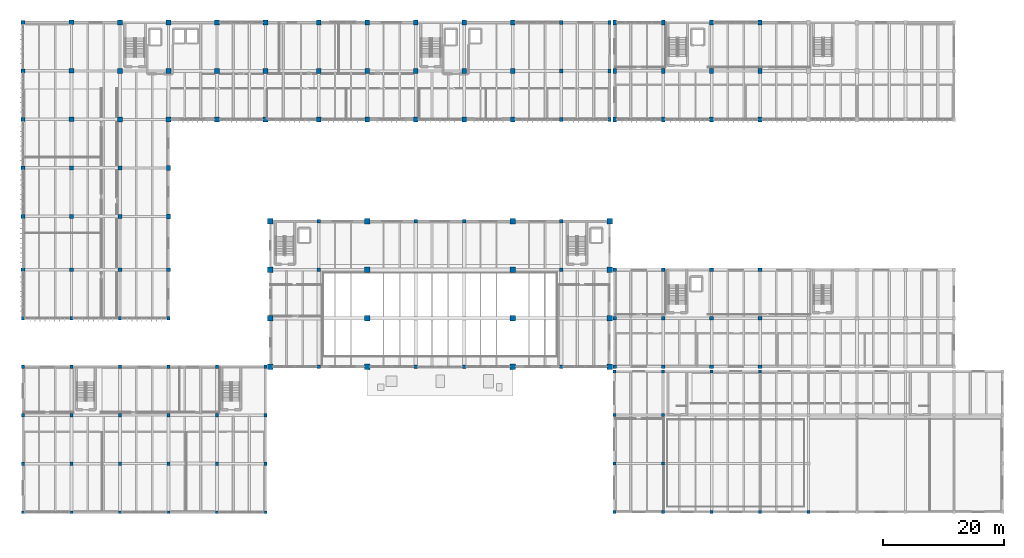
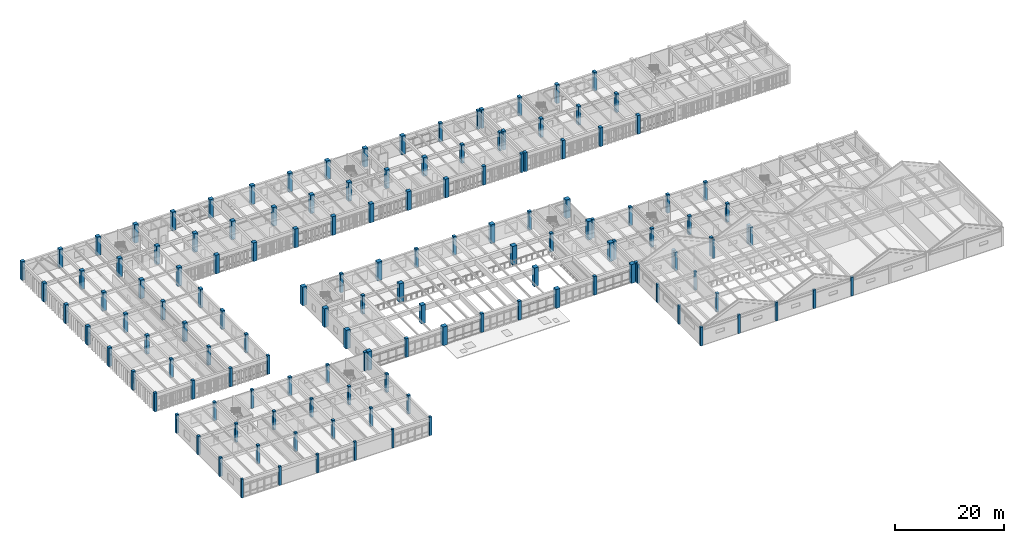
# One storey, part 1 of 67: 142 columns.
"""IFC4 building model written with IfcOpenShell, lengths in metres."""

import ifcopenshell
import ifcopenshell.guid

model = None  # the IFC model being written
_history = None  # IfcOwnerHistory: only IFC2X3 demands one
_inside = {}  # id of a spatial element -> (the spatial element, [elements in it])
_under = {}  # id of a project, library or spatial element -> (it, [spatial elements below it])
_declared = {}  # id of a project -> (the project, [libraries it declares])
_typed = {}  # id of a type object -> (the type object, [elements of that type])
_made_of = {}  # id of a material, layer set ... -> (it, [elements and type objects made of it])


def new_model(schema):
    """Start an empty IFC model of exactly this schema.

    Asked for "IFC4X3", IfcOpenShell would pick the latest addendum, in which some entities
    have other attributes; the version numbers below select the first issue.
    IFC2X3 requires an IfcOwnerHistory on every rooted entity: one is made here for all.
    """
    global model, _history
    if schema == "IFC4X3":
        model = ifcopenshell.file(schema_version=(4, 3, 0, 0))
    else:
        model = ifcopenshell.file(schema=schema)
    _inside.clear()
    _under.clear()
    _declared.clear()
    _typed.clear()
    _made_of.clear()
    _history = None
    if model.schema == "IFC2X3":
        org = make("IfcOrganization", Name="unknown")
        user = make(
            "IfcPersonAndOrganization",
            ThePerson=make("IfcPerson", FamilyName="unknown"),
            TheOrganization=org,
        )
        app = make(
            "IfcApplication",
            ApplicationDeveloper=org,
            Version="unknown",
            ApplicationFullName="unknown",
            ApplicationIdentifier="unknown",
        )
        _history = make(
            "IfcOwnerHistory",
            OwningUser=user,
            OwningApplication=app,
            ChangeAction="ADDED",
            CreationDate=0,
        )
    return model


def make(cls, **values):
    """One entity of the class cls with the attributes given. An attribute that is None is left unset."""
    return model.create_entity(
        cls, **{name: value for name, value in values.items() if value is not None}
    )


def rooted(cls, **values):
    """An entity with a GlobalId (a new one), such as an element, a storey or a relation."""
    return make(cls, GlobalId=ifcopenshell.guid.new(), OwnerHistory=_history, **values)


def si_unit(unit_type, name, prefix=None):
    """IfcSIUnit, for example si_unit("LENGTHUNIT", "METRE", prefix="MILLI")."""
    return make("IfcSIUnit", UnitType=unit_type, Prefix=prefix, Name=name)


def assignment(units):
    """IfcUnitAssignment: the units of a project."""
    return None if units is None else make("IfcUnitAssignment", Units=units)


def point(xyz):
    """IfcCartesianPoint."""
    return None if xyz is None else make("IfcCartesianPoint", Coordinates=xyz)


def direction(xyz):
    """IfcDirection."""
    return None if xyz is None else make("IfcDirection", DirectionRatios=xyz)


def frame(location, z_axis=None, x_axis=None):
    """IfcAxis2Placement3D, a coordinate frame: its origin and axes. An axis left out is left unset."""
    return make(
        "IfcAxis2Placement3D",
        Location=point(location),
        Axis=direction(z_axis),
        RefDirection=direction(x_axis),
    )


def frame_2d(location, x_axis=None):
    """IfcAxis2Placement2D, a coordinate frame in the plane: its origin and x axis."""
    return make(
        "IfcAxis2Placement2D", Location=point(location), RefDirection=direction(x_axis)
    )


def origin():
    """The frame at (0, 0, 0) with its axes left unset."""
    return frame((0.0, 0.0, 0.0))


def origin_2d():
    """The frame at (0, 0) in the plane with its x axis left unset."""
    return frame_2d((0.0, 0.0))


def place(relative_to, where):
    """IfcLocalPlacement: puts the frame where relative to a parent placement (None: the world)."""
    return make(
        "IfcLocalPlacement", PlacementRelTo=relative_to, RelativePlacement=where
    )


def context(
    kind, dimensions, precision=None, world=None, true_north=None, identifier=None
):
    """IfcGeometricRepresentationContext, for example the 3D "Model" context."""
    return make(
        "IfcGeometricRepresentationContext",
        ContextIdentifier=identifier,
        ContextType=kind,
        CoordinateSpaceDimension=dimensions,
        Precision=precision,
        WorldCoordinateSystem=world,
        TrueNorth=true_north,
    )


def subcontext(parent, identifier, kind, view, scale=None):
    """IfcGeometricRepresentationSubContext, for example "Body" below "Model"."""
    return make(
        "IfcGeometricRepresentationSubContext",
        ContextIdentifier=identifier,
        ContextType=kind,
        ParentContext=parent,
        TargetScale=scale,
        TargetView=view,
    )


def project(units=None, contexts=None):
    """IfcProject with its units and contexts."""
    return rooted(
        "IfcProject",
        Name="project",
        RepresentationContexts=contexts,
        UnitsInContext=assignment(units),
    )


def spatial(cls, under=None, at=None, **own):
    """A site, building, storey or space (cls), placed at a placement, below another one or the project."""
    s = rooted(cls, ObjectPlacement=at, **own)
    if under is not None:
        _under.setdefault(under.id(), (under, []))[1].append(s)
    return s


def profile(cls, at=None, kind="AREA", **sizes):
    """A parametric profile (cls). Its sizes go by their IFC names, for example OverallWidth=200.0."""
    return make(cls, ProfileType=kind, Position=at, **sizes)


def rectangle(**sizes):
    """IfcRectangleProfileDef."""
    return profile("IfcRectangleProfileDef", **sizes)


def extrude(swept, where, along, depth):
    """IfcExtrudedAreaSolid: the profile swept, set in the frame where, extruded along a direction by depth."""
    return make(
        "IfcExtrudedAreaSolid",
        SweptArea=swept,
        Position=where,
        ExtrudedDirection=direction(along),
        Depth=depth,
    )


def shape(context_of_items, identifier, shape_type, items):
    """IfcShapeRepresentation: the items that make up one representation, for example the "Body"."""
    return make(
        "IfcShapeRepresentation",
        ContextOfItems=context_of_items,
        RepresentationIdentifier=identifier,
        RepresentationType=shape_type,
        Items=items,
    )


def material(Name=None, Category=None):
    """IfcMaterial."""
    return make("IfcMaterial", Name=Name, Category=Category)


def material_profile(
    of_material, cross_section, Name=None, Category=None, Priority=None
):
    """IfcMaterialProfile: a cross section and its material."""
    return make(
        "IfcMaterialProfile",
        Name=Name,
        Material=of_material,
        Profile=cross_section,
        Priority=Priority,
        Category=Category,
    )


def profile_set(profiles, Name=None, composite=None):
    """IfcMaterialProfileSet."""
    return make(
        "IfcMaterialProfileSet",
        Name=Name,
        MaterialProfiles=profiles,
        CompositeProfile=composite,
    )


def made_of(thing, what):
    """Note that an element or type object is made of a material, layer set ...; save() writes the relation."""
    if what is not None:
        _made_of.setdefault(what.id(), (what, []))[1].append(thing)
    return thing


def type_object(cls, material=None, **own):
    """A type object (cls), such as IfcWallType, which elements share."""
    return made_of(rooted(cls, **own), material)


def element(
    cls,
    number,
    at=None,
    inside=None,
    cuts=None,
    type_object=None,
    material=None,
    context=None,
    identifier="Body",
    shape_type=None,
    held_by="IfcProductDefinitionShape",
    body=None,
    shapes=None,
    **own,
):
    """One element of the class cls, such as IfcWall. Its Tag is "e" and its number.

    at: its placement. inside: the storey or other place that contains it. cuts: it is an
    opening in that element (IfcRelVoidsElement). A single representation is given by context,
    identifier, shape_type and body (its items); several are given by shapes. held_by: the class
    of the entity that holds the representations. save() writes the other relations.
    """
    e = rooted(cls, Tag="e%d" % number, ObjectPlacement=at, **own)
    if body is not None:
        shapes = [shape(context, identifier, shape_type, body)]
    if shapes is not None:
        e.Representation = make(held_by, Representations=shapes)
    if inside is not None:
        _inside.setdefault(inside.id(), (inside, []))[1].append(e)
    if cuts is not None:
        rooted(
            "IfcRelVoidsElement", RelatingBuildingElement=cuts, RelatedOpeningElement=e
        )
    if type_object is not None:
        _typed.setdefault(type_object.id(), (type_object, []))[1].append(e)
    return made_of(e, material)


def aggregate(whole, parts):
    """IfcRelAggregates: a whole, such as a stair, and the parts it consists of."""
    return rooted("IfcRelAggregates", RelatingObject=whole, RelatedObjects=parts)


def save(model, path):
    """Write the relations noted so far, then the file.

    IfcRelAggregates (storeys below a building ...), IfcRelContainedInSpatialStructure (elements
    in a storey), IfcRelDefinesByType, IfcRelAssociatesMaterial and IfcRelDeclares: one each for
    every whole, place, type object, material and project.
    """
    for whole, parts in _under.values():
        aggregate(whole, parts)
    for where, things in _inside.values():
        rooted(
            "IfcRelContainedInSpatialStructure",
            RelatedElements=things,
            RelatingStructure=where,
        )
    for kind, things in _typed.values():
        rooted("IfcRelDefinesByType", RelatedObjects=things, RelatingType=kind)
    for what, things in _made_of.values():
        rooted("IfcRelAssociatesMaterial", RelatedObjects=things, RelatingMaterial=what)
    for by, libraries in _declared.values():
        rooted("IfcRelDeclares", RelatingContext=by, RelatedDefinitions=libraries)
    model.write(path)


model = new_model("IFC4")

# Units and contexts
model_context = context("Model", 3, precision=1e-05, world=origin(), true_north=direction((0.0, 1.0)))
body_context = subcontext(model_context, "Body", "Model", "MODEL_VIEW")
ifc_project = project(units=[si_unit("LENGTHUNIT", "METRE"), si_unit("AREAUNIT", "SQUARE_METRE"), si_unit("VOLUMEUNIT", "CUBIC_METRE"), si_unit("PLANEANGLEUNIT", "RADIAN"), si_unit("MASSUNIT", "GRAM", prefix="KILO")], contexts=[model_context])

# Site, building, storey
site_placement = place(None, origin())
site = spatial("IfcSite", under=ifc_project, at=site_placement, CompositionType="ELEMENT")
building_placement = place(site_placement, origin())
building = spatial("IfcBuilding", under=site, at=building_placement, Name="Tlaxcora Railside Police Headquarters", CompositionType="ELEMENT")
storey_placement = place(building_placement, frame((0.0, 0.0, 4.800048828125)))
storey = spatial("IfcBuildingStorey", under=building, at=storey_placement, Name="L01", CompositionType="ELEMENT", Elevation=4.800048828125)

# Columns
ifc_material = material(Name="Concrete C40/50", Category="concrete")
ifc_material_profile_1 = material_profile(ifc_material, rectangle(XDim=0.800048828125, YDim=0.800048828125, at=origin_2d()), Name="RC800X800")
ifc_profile_set_1 = profile_set([ifc_material_profile_1], Name="Concrete C40/50")
column_type_1 = type_object("IfcColumnType", Name="Structural Column CL-17", PredefinedType="COLUMN", material=ifc_profile_set_1)
for number, where, z_axis, x_axis, name in (
    (1, (21.199951171875, 76.800048828125, 0.0), (0.0, 0.0, 1.0), (1.0, 0.0, 0.0), "L01 column (21.2, 76.8)"),
    (2, (21.199951171875, 84.800048828125, 0.0), (0.0, 0.0, 1.0), (1.0, 0.0, 0.0), "L01 column (21.2, 84.8)"),
    (3, (21.199951171875, 92.800048828125, 0.0), (0.0, 0.0, 1.0), (1.0, 0.0, 0.0), "L01 column (21.2, 92.8)"),
    (4, (29.199951171875, 76.800048828125, 0.0), (0.0, 0.0, 1.0), (1.0, 0.0, 0.0), "L01 column (29.2, 76.8)"),
    (5, (29.199951171875, 84.800048828125, 0.0), (0.0, 0.0, 1.0), (1.0, 0.0, 0.0), "L01 column (29.2, 84.8)"),
    (6, (29.199951171875, 92.800048828125, 0.0), (0.0, 0.0, 1.0), (1.0, 0.0, 0.0), "L01 column (29.2, 92.8)"),
    (7, (37.199951171875, 76.800048828125, 0.0), (0.0, 0.0, 1.0), (1.0, 0.0, 0.0), "L01 column (37.2, 76.8)"),
    (8, (37.199951171875, 84.800048828125, 0.0), (0.0, 0.0, 1.0), (1.0, 0.0, 0.0), "L01 column (37.2, 84.8)"),
    (9, (37.199951171875, 92.800048828125, 0.0), (0.0, 0.0, 1.0), (1.0, 0.0, 0.0), "L01 column (37.2, 92.8)"),
    (10, (45.199951171875, 76.800048828125, 0.0), (0.0, 0.0, 1.0), (1.0, 0.0, 0.0), "L01 column (45.2, 76.8)"),
    (11, (45.199951171875, 84.800048828125, 0.0), (0.0, 0.0, 1.0), (1.0, 0.0, 0.0), "L01 column (45.2, 84.8)"),
    (12, (45.199951171875, 92.800048828125, 0.0), (0.0, 0.0, 1.0), (1.0, 0.0, 0.0), "L01 column (45.2, 92.8)"),
    (13, (54.0, 76.800048828125, 0.0), (0.0, 0.0, 1.0), (1.0, 0.0, 0.0), "L01 column (54.0, 76.8)"),
    (14, (54.0, 84.800048828125, 0.0), (0.0, 0.0, 1.0), (1.0, 0.0, 0.0), "L01 column (54.0, 84.8)"),
    (15, (54.0, 92.800048828125, 0.0), (0.0, 0.0, 1.0), (1.0, 0.0, 0.0), "L01 column (54.0, 92.8)"),
    (16, (62.0, 76.800048828125, 0.0), (0.0, 0.0, 1.0), (1.0, 0.0, 0.0), "L01 column (62.0, 76.8)"),
    (17, (62.0, 84.800048828125, 0.0), (0.0, 0.0, 1.0), (1.0, 0.0, 0.0), "L01 column (62.0, 84.8)"),
    (18, (62.0, 92.800048828125, 0.0), (0.0, 0.0, 1.0), (1.0, 0.0, 0.0), "L01 column (62.0, 92.8)"),
    (19, (70.0, 76.800048828125, 0.0), (0.0, 0.0, 1.0), (1.0, 0.0, 0.0), "L01 column (70.0, 76.8)"),
    (20, (70.0, 84.800048828125, 0.0), (0.0, 0.0, 1.0), (1.0, 0.0, 0.0), "L01 column (70.0, 84.8)"),
    (21, (70.0, 92.800048828125, 0.0), (0.0, 0.0, 1.0), (1.0, 0.0, 0.0), "L01 column (70.0, 92.8)"),
    (22, (78.0, 76.800048828125, 0.0), (0.0, 0.0, 1.0), (1.0, 0.0, 0.0), "L01 column (78.0, 76.8)"),
    (23, (78.0, 84.800048828125, 0.0), (0.0, 0.0, 1.0), (1.0, 0.0, 0.0), "L01 column (78.0, 84.8)"),
    (24, (78.0, 92.800048828125, 0.0), (0.0, 0.0, 1.0), (1.0, 0.0, 0.0), "L01 column (78.0, 92.8)"),
    (25, (86.0, 76.800048828125, 0.0), (0.0, 0.0, 1.0), (1.0, 0.0, 0.0), "L01 column (86.0, 76.8)"),
    (26, (86.0, 84.800048828125, 0.0), (0.0, 0.0, 1.0), (1.0, 0.0, 0.0), "L01 column (86.0, 84.8)"),
    (27, (86.0, 92.800048828125, 0.0), (0.0, 0.0, 1.0), (1.0, 0.0, 0.0), "L01 column (86.0, 92.8)"),
):
    element("IfcColumn", number, at=place(storey_placement, frame(where, z_axis=z_axis, x_axis=x_axis)), inside=storey, type_object=column_type_1, Name=name, PredefinedType="COLUMN", context=body_context, shape_type="SweptSolid", body=[
        extrude(rectangle(XDim=0.800048828125, YDim=0.800048828125, at=origin_2d()), origin(), (0.0, 0.0, 1.0), 4.199951171875),
    ])
ifc_material_profile_2 = material_profile(ifc_material, rectangle(XDim=0.75, YDim=0.75, at=origin_2d()), Name="RC750X750")
ifc_profile_set_2 = profile_set([ifc_material_profile_2], Name="Concrete C40/50")
column_type_2 = type_object("IfcColumnType", Name="Structural Column CL-18", PredefinedType="COLUMN", material=ifc_profile_set_2)
for number, where, z_axis, x_axis, name in (
    (28, (13.199951171875, 76.800048828125, 0.0), (0.0, 0.0, 1.0), (1.0, 0.0, 0.0), "L01 column (13.2, 76.8)"),
    (29, (13.199951171875, 84.800048828125, 0.0), (0.0, 0.0, 1.0), (1.0, 0.0, 0.0), "L01 column (13.2, 84.8)"),
    (30, (13.199951171875, 92.800048828125, 0.0), (0.0, 0.0, 1.0), (1.0, 0.0, 0.0), "L01 column (13.2, 92.8)"),
):
    element("IfcColumn", number, at=place(storey_placement, frame(where, z_axis=z_axis, x_axis=x_axis)), inside=storey, type_object=column_type_2, Name=name, PredefinedType="COLUMN", context=body_context, shape_type="SweptSolid", body=[
        extrude(rectangle(XDim=0.75, YDim=0.75, at=origin_2d()), origin(), (0.0, 0.0, 1.0), 4.199951171875),
    ])
ifc_material_profile_3 = material_profile(ifc_material, rectangle(XDim=0.5, YDim=0.64990234375, at=origin_2d()), Name="RC500X650")
ifc_profile_set_3 = profile_set([ifc_material_profile_3], Name="Concrete C40/50")
column_type_3 = type_object("IfcColumnType", Name="Structural Column CL-28", PredefinedType="COLUMN", material=ifc_profile_set_3)
for number, where, z_axis, x_axis, name in (
    (31, (102.0, 76.800048828125, 0.0), (0.0, 0.0, 1.0), (1.0, 0.0, 0.0), "L01 column (102.0, 76.8)"),
    (32, (102.0, 84.800048828125, 0.0), (0.0, 0.0, 1.0), (1.0, 0.0, 0.0), "L01 column (102.0, 84.8)"),
    (33, (102.0, 92.800048828125, 0.0), (0.0, 0.0, 1.0), (1.0, 0.0, 0.0), "L01 column (102.0, 92.8)"),
):
    element("IfcColumn", number, at=place(storey_placement, frame(where, z_axis=z_axis, x_axis=x_axis)), inside=storey, type_object=column_type_3, Name=name, PredefinedType="COLUMN", context=body_context, shape_type="SweptSolid", body=[
        extrude(rectangle(XDim=0.5, YDim=0.64990234375, at=origin_2d()), origin(), (0.0, 0.0, 1.0), 4.199951171875),
    ])
ifc_material_profile_4 = material_profile(ifc_material, rectangle(XDim=0.699951171875, YDim=0.699951171875, at=origin_2d()), Name="RC700X700")
ifc_profile_set_4 = profile_set([ifc_material_profile_4], Name="Concrete C40/50")
column_type_4 = type_object("IfcColumnType", Name="Structural Column CL-43", PredefinedType="COLUMN", material=ifc_profile_set_4)
for number, where, z_axis, x_axis, name in (
    (34, (5.199951171875, 60.800048828125, 0.0), (0.0, 0.0, 1.0), (1.0, 0.0, 0.0), "L01 column (5.2, 60.8)"),
    (35, (5.199951171875, 68.800048828125, 0.0), (0.0, 0.0, 1.0), (1.0, 0.0, 0.0), "L01 column (5.2, 68.8)"),
    (36, (5.199951171875, 76.800048828125, 0.0), (0.0, 0.0, 1.0), (1.0, 0.0, 0.0), "L01 column (5.2, 76.8)"),
    (37, (5.199951171875, 84.800048828125, 0.0), (0.0, 0.0, 1.0), (1.0, 0.0, 0.0), "L01 column (5.2, 84.8)"),
    (38, (5.199951171875, 92.800048828125, 0.0), (0.0, 0.0, 1.0), (1.0, 0.0, 0.0), "L01 column (5.2, 92.8)"),
    (39, (13.199951171875, 60.800048828125, 0.0), (0.0, 0.0, 1.0), (1.0, 0.0, 0.0), "L01 column (13.2, 60.8)"),
    (40, (13.199951171875, 68.800048828125, 0.0), (0.0, 0.0, 1.0), (1.0, 0.0, 0.0), "L01 column (13.2, 68.8)"),
    (41, (21.199951171875, 60.800048828125, 0.0), (0.0, 0.0, 1.0), (1.0, 0.0, 0.0), "L01 column (21.2, 60.8)"),
    (42, (21.199951171875, 68.800048828125, 0.0), (0.0, 0.0, 1.0), (1.0, 0.0, 0.0), "L01 column (21.2, 68.8)"),
):
    element("IfcColumn", number, at=place(storey_placement, frame(where, z_axis=z_axis, x_axis=x_axis)), inside=storey, type_object=column_type_4, Name=name, PredefinedType="COLUMN", context=body_context, shape_type="SweptSolid", body=[
        extrude(rectangle(XDim=0.699951171875, YDim=0.699951171875, at=origin_2d()), origin(), (0.0, 0.0, 1.0), 4.199951171875),
    ])
ifc_material_profile_5 = material_profile(ifc_material, rectangle(XDim=0.89990234375, YDim=0.89990234375, at=origin_2d()), Name="RC900X900")
ifc_profile_set_5 = profile_set([ifc_material_profile_5], Name="Concrete C40/50")
column_type_5 = type_object("IfcColumnType", Name="Structural Column CL-45", PredefinedType="COLUMN", material=ifc_profile_set_5)
for number, where, z_axis, x_axis, name in (
    (43, (46.0, 36.0, 0.0), (0.0, 0.0, 1.0), (1.0, 0.0, 0.0), "L01 column (46.0, 36.0)"),
    (44, (46.0, 44.0, 0.0), (0.0, 0.0, 1.0), (1.0, 0.0, 0.0), "L01 column (46.0, 44.0)"),
    (45, (46.0, 52.0, 0.0), (0.0, 0.0, 1.0), (1.0, 0.0, 0.0), "L01 column (46.0, 52.0)"),
    (46, (46.0, 60.0, 0.0), (0.0, 0.0, 1.0), (1.0, 0.0, 0.0), "L01 column (46.0, 60.0)"),
    (47, (62.0, 36.0, 0.0), (0.0, 0.0, 1.0), (1.0, 0.0, 0.0), "L01 column (62.0, 36.0)"),
    (48, (62.0, 44.0, 0.0), (0.0, 0.0, 1.0), (1.0, 0.0, 0.0), "L01 column (62.0, 44.0)"),
    (49, (62.0, 52.0, 0.0), (0.0, 0.0, 1.0), (1.0, 0.0, 0.0), "L01 column (62.0, 52.0)"),
    (50, (62.0, 60.0, 0.0), (0.0, 0.0, 1.0), (1.0, 0.0, 0.0), "L01 column (62.0, 60.0)"),
    (51, (86.0, 36.0, 0.0), (0.0, 0.0, 1.0), (1.0, 0.0, 0.0), "L01 column (86.0, 36.0)"),
    (52, (86.0, 44.0, 0.0), (0.0, 0.0, 1.0), (1.0, 0.0, 0.0), "L01 column (86.0, 44.0)"),
    (53, (86.0, 52.0, 0.0), (0.0, 0.0, 1.0), (1.0, 0.0, 0.0), "L01 column (86.0, 52.0)"),
    (54, (86.0, 60.0, 0.0), (0.0, 0.0, 1.0), (1.0, 0.0, 0.0), "L01 column (86.0, 60.0)"),
    (55, (102.0, 36.0, 0.0), (0.0, 0.0, 1.0), (1.0, 0.0, 0.0), "L01 column (102.0, 36.0)"),
    (56, (102.0, 44.0, 0.0), (0.0, 0.0, 1.0), (1.0, 0.0, 0.0), "L01 column (102.0, 44.0)"),
    (57, (102.0, 52.0, 0.0), (0.0, 0.0, 1.0), (1.0, 0.0, 0.0), "L01 column (102.0, 52.0)"),
    (58, (102.0, 60.0, 0.0), (0.0, 0.0, 1.0), (1.0, 0.0, 0.0), "L01 column (102.0, 60.0)"),
):
    element("IfcColumn", number, at=place(storey_placement, frame(where, z_axis=z_axis, x_axis=x_axis)), inside=storey, type_object=column_type_5, Name=name, PredefinedType="COLUMN", context=body_context, shape_type="SweptSolid", body=[
        extrude(rectangle(XDim=0.89990234375, YDim=0.89990234375, at=origin_2d()), origin(), (0.0, 0.0, 1.0), 4.199951171875),
    ])
ifc_material_profile_6 = material_profile(ifc_material, rectangle(XDim=0.60009765625, YDim=0.60009765625, at=origin_2d()), Name="RC600X600")
ifc_profile_set_6 = profile_set([ifc_material_profile_6], Name="Concrete C40/50")
column_type_6 = type_object("IfcColumnType", Name="Structural Column CL-53", PredefinedType="COLUMN", material=ifc_profile_set_6)
for number, where, z_axis, x_axis, name in (
    (59, (5.199951171875, 52.0, 0.0), (0.0, 0.0, 1.0), (1.0, 0.0, 0.0), "L01 column (5.2, 52.0)"),
    (60, (13.199951171875, 52.0, 0.0), (0.0, 0.0, 1.0), (1.0, 0.0, 0.0), "L01 column (13.2, 52.0)"),
    (61, (21.199951171875, 52.0, 0.0), (0.0, 0.0, 1.0), (1.0, 0.0, 0.0), "L01 column (21.2, 52.0)"),
    (62, (29.199951171875, 52.0, 0.0), (0.0, 0.0, 1.0), (1.0, 0.0, 0.0), "L01 column (29.2, 52.0)"),
    (63, (54.0, 36.0, 0.0), (0.0, 0.0, 1.0), (1.0, 0.0, 0.0), "L01 column (54.0, 36.0)"),
    (64, (54.0, 52.0, 0.0), (0.0, 0.0, 1.0), (1.0, 0.0, 0.0), "L01 column (54.0, 52.0)"),
    (65, (54.0, 60.0, 0.0), (0.0, 0.0, 1.0), (1.0, 0.0, 0.0), "L01 column (54.0, 60.0)"),
    (66, (70.0, 36.0, 0.0), (0.0, 0.0, 1.0), (1.0, 0.0, 0.0), "L01 column (70.0, 36.0)"),
    (67, (70.0, 60.0, 0.0), (0.0, 0.0, 1.0), (1.0, 0.0, 0.0), "L01 column (70.0, 60.0)"),
    (68, (78.0, 36.0, 0.0), (0.0, 0.0, 1.0), (1.0, 0.0, 0.0), "L01 column (78.0, 36.0)"),
    (69, (78.0, 60.0, 0.0), (0.0, 0.0, 1.0), (1.0, 0.0, 0.0), "L01 column (78.0, 60.0)"),
    (70, (94.0, 36.0, 0.0), (0.0, 0.0, 1.0), (1.0, 0.0, 0.0), "L01 column (94.0, 36.0)"),
    (71, (94.0, 52.0, 0.0), (0.0, 0.0, 1.0), (1.0, 0.0, 0.0), "L01 column (94.0, 52.0)"),
    (72, (94.0, 60.0, 0.0), (0.0, 0.0, 1.0), (1.0, 0.0, 0.0), "L01 column (94.0, 60.0)"),
    (73, (102.800048828125, 36.0, 0.0), (0.0, 0.0, 1.0), (1.0, 0.0, 0.0), "L01 column (102.8, 36.0)"),
    (74, (102.800048828125, 44.0, 0.0), (0.0, 0.0, 1.0), (1.0, 0.0, 0.0), "L01 column (102.8, 44.0)"),
    (75, (102.800048828125, 52.0, 0.0), (0.0, 0.0, 1.0), (1.0, 0.0, 0.0), "L01 column (102.8, 52.0)"),
    (76, (110.800048828125, 36.0, 0.0), (0.0, 0.0, 1.0), (1.0, 0.0, 0.0), "L01 column (110.8, 36.0)"),
    (77, (110.800048828125, 44.0, 0.0), (0.0, 0.0, 1.0), (1.0, 0.0, 0.0), "L01 column (110.8, 44.0)"),
    (78, (110.800048828125, 52.0, 0.0), (0.0, 0.0, 1.0), (1.0, 0.0, 0.0), "L01 column (110.8, 52.0)"),
    (79, (118.800048828125, 36.0, 0.0), (0.0, 0.0, 1.0), (1.0, 0.0, 0.0), "L01 column (118.8, 36.0)"),
    (80, (118.800048828125, 44.0, 0.0), (0.0, 0.0, 1.0), (1.0, 0.0, 0.0), "L01 column (118.8, 44.0)"),
    (81, (118.800048828125, 52.0, 0.0), (0.0, 0.0, 1.0), (1.0, 0.0, 0.0), "L01 column (118.8, 52.0)"),
    (82, (126.800048828125, 36.0, 0.0), (0.0, 0.0, 1.0), (1.0, 0.0, 0.0), "L01 column (126.8, 36.0)"),
    (83, (126.800048828125, 44.0, 0.0), (0.0, 0.0, 1.0), (1.0, 0.0, 0.0), "L01 column (126.8, 44.0)"),
    (84, (126.800048828125, 52.0, 0.0), (0.0, 0.0, 1.0), (1.0, 0.0, 0.0), "L01 column (126.8, 52.0)"),
):
    element("IfcColumn", number, at=place(storey_placement, frame(where, z_axis=z_axis, x_axis=x_axis)), inside=storey, type_object=column_type_6, Name=name, PredefinedType="COLUMN", context=body_context, shape_type="SweptSolid", body=[
        extrude(rectangle(XDim=0.60009765625, YDim=0.60009765625, at=origin_2d()), origin(), (0.0, 0.0, 1.0), 4.199951171875),
    ])
ifc_material_profile_7 = material_profile(ifc_material, rectangle(XDim=0.5, YDim=0.5, at=origin_2d()), Name="RC500X500")
ifc_profile_set_7 = profile_set([ifc_material_profile_7], Name="Concrete C40/50")
column_type_7 = type_object("IfcColumnType", Name="Structural Column CL-55", PredefinedType="COLUMN", material=ifc_profile_set_7)
for number, where, z_axis, x_axis, name in (
    (85, (102.800048828125, 12.0, 0.0), (0.0, 0.0, 1.0), (1.0, 0.0, 0.0), "L01 column (102.8, 12.0)"),
    (86, (102.800048828125, 20.0, 0.0), (0.0, 0.0, 1.0), (1.0, 0.0, 0.0), "L01 column (102.8, 20.0)"),
    (87, (102.800048828125, 28.0, 0.0), (0.0, 0.0, 1.0), (1.0, 0.0, 0.0), "L01 column (102.8, 28.0)"),
    (88, (102.800048828125, 35.199951171875, 0.0), (0.0, 0.0, 1.0), (1.0, 0.0, 0.0), "L01 column (102.8, 35.2)"),
    (89, (110.800048828125, 12.0, 0.0), (0.0, 0.0, 1.0), (1.0, 0.0, 0.0), "L01 column (110.8, 12.0)"),
    (90, (110.800048828125, 20.0, 0.0), (0.0, 0.0, 1.0), (1.0, 0.0, 0.0), "L01 column (110.8, 20.0)"),
    (91, (110.800048828125, 28.0, 0.0), (0.0, 0.0, 1.0), (1.0, 0.0, 0.0), "L01 column (110.8, 28.0)"),
    (92, (110.800048828125, 35.199951171875, 0.0), (0.0, 0.0, 1.0), (1.0, 0.0, 0.0), "L01 column (110.8, 35.2)"),
    (93, (118.800048828125, 12.0, 0.0), (0.0, 0.0, 1.0), (1.0, 0.0, 0.0), "L01 column (118.8, 12.0)"),
    (94, (118.800048828125, 35.199951171875, 0.0), (0.0, 0.0, 1.0), (1.0, 0.0, 0.0), "L01 column (118.8, 35.2)"),
    (95, (126.800048828125, 12.0, 0.0), (0.0, 0.0, 1.0), (1.0, 0.0, 0.0), "L01 column (126.8, 12.0)"),
    (96, (126.800048828125, 35.199951171875, 0.0), (0.0, 0.0, 1.0), (1.0, 0.0, 0.0), "L01 column (126.8, 35.2)"),
    (97, (134.800048828125, 12.0, 0.0), (0.0, 0.0, 1.0), (1.0, 0.0, 0.0), "L01 column (134.8, 12.0)"),
):
    element("IfcColumn", number, at=place(storey_placement, frame(where, z_axis=z_axis, x_axis=x_axis)), inside=storey, type_object=column_type_7, Name=name, PredefinedType="COLUMN", context=body_context, shape_type="SweptSolid", body=[
        extrude(rectangle(XDim=0.5, YDim=0.5, at=origin_2d()), origin(), (0.0, 0.0, 1.0), 4.199951171875),
    ])
ifc_material_profile_8 = material_profile(ifc_material, rectangle(XDim=0.449951171875, YDim=0.449951171875, at=origin_2d()), Name="RC450X450")
ifc_profile_set_8 = profile_set([ifc_material_profile_8], Name="Concrete C40/50")
column_type_8 = type_object("IfcColumnType", Name="Structural Column CL-56", PredefinedType="COLUMN", material=ifc_profile_set_8)
for number, where, z_axis, x_axis, name in (
    (98, (5.199951171875, 12.0, 0.0), (0.0, 0.0, 1.0), (1.0, 0.0, 0.0), "L01 column (5.2, 12.0)"),
    (99, (13.199951171875, 12.0, 0.0), (0.0, 0.0, 1.0), (1.0, 0.0, 0.0), "L01 column (13.2, 12.0)"),
    (100, (21.199951171875, 12.0, 0.0), (0.0, 0.0, 1.0), (1.0, 0.0, 0.0), "L01 column (21.2, 12.0)"),
    (101, (29.199951171875, 12.0, 0.0), (0.0, 0.0, 1.0), (1.0, 0.0, 0.0), "L01 column (29.2, 12.0)"),
    (102, (37.199951171875, 12.0, 0.0), (0.0, 0.0, 1.0), (1.0, 0.0, 0.0), "L01 column (37.2, 12.0)"),
    (103, (45.199951171875, 12.0, 0.0), (0.0, 0.0, 1.0), (1.0, 0.0, 0.0), "L01 column (45.2, 12.0)"),
):
    element("IfcColumn", number, at=place(storey_placement, frame(where, z_axis=z_axis, x_axis=x_axis)), inside=storey, type_object=column_type_8, Name=name, PredefinedType="COLUMN", context=body_context, shape_type="SweptSolid", body=[
        extrude(rectangle(XDim=0.449951171875, YDim=0.449951171875, at=origin_2d()), origin(), (0.0, 0.0, 1.0), 4.199951171875),
    ])
ifc_material_profile_9 = material_profile(ifc_material, rectangle(XDim=0.64990234375, YDim=0.64990234375, at=origin_2d()), Name="RC650X650")
ifc_profile_set_9 = profile_set([ifc_material_profile_9], Name="Concrete C40/50")
column_type_9 = type_object("IfcColumnType", Name="Structural Column CL-76", PredefinedType="COLUMN", material=ifc_profile_set_9)
for number, where, z_axis, x_axis, name in (
    (104, (94.0, 76.800048828125, 0.0), (0.0, 0.0, 1.0), (1.0, 0.0, 0.0), "L01 column (94.0, 76.8)"),
    (105, (94.0, 84.800048828125, 0.0), (0.0, 0.0, 1.0), (1.0, 0.0, 0.0), "L01 column (94.0, 84.8)"),
    (106, (94.0, 92.800048828125, 0.0), (0.0, 0.0, 1.0), (1.0, 0.0, 0.0), "L01 column (94.0, 92.8)"),
):
    element("IfcColumn", number, at=place(storey_placement, frame(where, z_axis=z_axis, x_axis=x_axis)), inside=storey, type_object=column_type_9, Name=name, PredefinedType="COLUMN", context=body_context, shape_type="SweptSolid", body=[
        extrude(rectangle(XDim=0.64990234375, YDim=0.64990234375, at=origin_2d()), origin(), (0.0, 0.0, 1.0), 4.199951171875),
    ])
ifc_material_profile_10 = material_profile(ifc_material, rectangle(XDim=0.550048828125, YDim=0.550048828125, at=origin_2d()), Name="RC550X550")
ifc_profile_set_10 = profile_set([ifc_material_profile_10], Name="Concrete C40/50")
column_type_10 = type_object("IfcColumnType", Name="Structural Column CL-83", PredefinedType="COLUMN", material=ifc_profile_set_10)
for number, where, z_axis, x_axis, name in (
    (107, (5.199951171875, 20.0, 0.0), (0.0, 0.0, 1.0), (1.0, 0.0, 0.0), "L01 column (5.2, 20.0)"),
    (108, (5.199951171875, 28.0, 0.0), (0.0, 0.0, 1.0), (1.0, 0.0, 0.0), "L01 column (5.2, 28.0)"),
    (109, (5.199951171875, 36.0, 0.0), (0.0, 0.0, 1.0), (1.0, 0.0, 0.0), "L01 column (5.2, 36.0)"),
    (110, (5.199951171875, 44.0, 0.0), (0.0, 0.0, 1.0), (1.0, 0.0, 0.0), "L01 column (5.2, 44.0)"),
    (111, (13.199951171875, 20.0, 0.0), (0.0, 0.0, 1.0), (1.0, 0.0, 0.0), "L01 column (13.2, 20.0)"),
    (112, (13.199951171875, 28.0, 0.0), (0.0, 0.0, 1.0), (1.0, 0.0, 0.0), "L01 column (13.2, 28.0)"),
    (113, (13.199951171875, 36.0, 0.0), (0.0, 0.0, 1.0), (1.0, 0.0, 0.0), "L01 column (13.2, 36.0)"),
    (114, (13.199951171875, 44.0, 0.0), (0.0, 0.0, 1.0), (1.0, 0.0, 0.0), "L01 column (13.2, 44.0)"),
    (115, (21.199951171875, 20.0, 0.0), (0.0, 0.0, 1.0), (1.0, 0.0, 0.0), "L01 column (21.2, 20.0)"),
    (116, (21.199951171875, 28.0, 0.0), (0.0, 0.0, 1.0), (1.0, 0.0, 0.0), "L01 column (21.2, 28.0)"),
    (117, (21.199951171875, 36.0, 0.0), (0.0, 0.0, 1.0), (1.0, 0.0, 0.0), "L01 column (21.2, 36.0)"),
    (118, (21.199951171875, 44.0, 0.0), (0.0, 0.0, 1.0), (1.0, 0.0, 0.0), "L01 column (21.2, 44.0)"),
    (119, (29.199951171875, 20.0, 0.0), (0.0, 0.0, 1.0), (1.0, 0.0, 0.0), "L01 column (29.2, 20.0)"),
    (120, (29.199951171875, 28.0, 0.0), (0.0, 0.0, 1.0), (1.0, 0.0, 0.0), "L01 column (29.2, 28.0)"),
    (121, (29.199951171875, 36.0, 0.0), (0.0, 0.0, 1.0), (1.0, 0.0, 0.0), "L01 column (29.2, 36.0)"),
    (122, (29.199951171875, 44.0, 0.0), (0.0, 0.0, 1.0), (1.0, 0.0, 0.0), "L01 column (29.2, 44.0)"),
    (123, (37.199951171875, 20.0, 0.0), (0.0, 0.0, 1.0), (1.0, 0.0, 0.0), "L01 column (37.2, 20.0)"),
    (124, (37.199951171875, 28.0, 0.0), (0.0, 0.0, 1.0), (1.0, 0.0, 0.0), "L01 column (37.2, 28.0)"),
    (125, (37.199951171875, 36.0, 0.0), (0.0, 0.0, 1.0), (1.0, 0.0, 0.0), "L01 column (37.2, 36.0)"),
    (126, (45.199951171875, 20.0, 0.0), (0.0, 0.0, 1.0), (1.0, 0.0, 0.0), "L01 column (45.2, 20.0)"),
    (127, (45.199951171875, 28.0, 0.0), (0.0, 0.0, 1.0), (1.0, 0.0, 0.0), "L01 column (45.2, 28.0)"),
    (128, (45.199951171875, 36.0, 0.0), (0.0, 0.0, 1.0), (1.0, 0.0, 0.0), "L01 column (45.2, 36.0)"),
):
    element("IfcColumn", number, at=place(storey_placement, frame(where, z_axis=z_axis, x_axis=x_axis)), inside=storey, type_object=column_type_10, Name=name, PredefinedType="COLUMN", context=body_context, shape_type="SweptSolid", body=[
        extrude(rectangle(XDim=0.550048828125, YDim=0.550048828125, at=origin_2d()), origin(), (0.0, 0.0, 1.0), 4.199951171875),
    ])
ifc_material_profile_11 = material_profile(ifc_material, rectangle(XDim=0.60009765625, YDim=0.800048828125, at=origin_2d()), Name="RC600X800")
ifc_profile_set_11 = profile_set([ifc_material_profile_11], Name="Concrete C40/50")
column_type_11 = type_object("IfcColumnType", Name="Structural Column CL-90", PredefinedType="COLUMN", material=ifc_profile_set_11)
for number, where, z_axis, x_axis, name in (
    (129, (29.199951171875, 60.800048828125, 0.0), (0.0, 0.0, 1.0), (1.0, 0.0, 0.0), "L01 column (29.2, 60.8)"),
    (130, (29.199951171875, 68.800048828125, 0.0), (0.0, 0.0, 1.0), (1.0, 0.0, 0.0), "L01 column (29.2, 68.8)"),
    (131, (102.800048828125, 76.800048828125, 0.0), (0.0, 0.0, 1.0), (1.0, 0.0, 0.0), "L01 column (102.8, 76.8)"),
    (132, (102.800048828125, 84.800048828125, 0.0), (0.0, 0.0, 1.0), (1.0, 0.0, 0.0), "L01 column (102.8, 84.8)"),
    (133, (102.800048828125, 92.800048828125, 0.0), (0.0, 0.0, 1.0), (1.0, 0.0, 0.0), "L01 column (102.8, 92.8)"),
    (134, (110.800048828125, 76.800048828125, 0.0), (0.0, 0.0, 1.0), (1.0, 0.0, 0.0), "L01 column (110.8, 76.8)"),
    (135, (110.800048828125, 84.800048828125, 0.0), (0.0, 0.0, 1.0), (1.0, 0.0, 0.0), "L01 column (110.8, 84.8)"),
    (136, (110.800048828125, 92.800048828125, 0.0), (0.0, 0.0, 1.0), (1.0, 0.0, 0.0), "L01 column (110.8, 92.8)"),
    (137, (118.800048828125, 76.800048828125, 0.0), (0.0, 0.0, 1.0), (1.0, 0.0, 0.0), "L01 column (118.8, 76.8)"),
    (138, (118.800048828125, 84.800048828125, 0.0), (0.0, 0.0, 1.0), (1.0, 0.0, 0.0), "L01 column (118.8, 84.8)"),
    (139, (118.800048828125, 92.800048828125, 0.0), (0.0, 0.0, 1.0), (1.0, 0.0, 0.0), "L01 column (118.8, 92.8)"),
    (140, (126.800048828125, 76.800048828125, 0.0), (0.0, 0.0, 1.0), (1.0, 0.0, 0.0), "L01 column (126.8, 76.8)"),
    (141, (126.800048828125, 84.800048828125, 0.0), (0.0, 0.0, 1.0), (1.0, 0.0, 0.0), "L01 column (126.8, 84.8)"),
    (142, (126.800048828125, 92.800048828125, 0.0), (0.0, 0.0, 1.0), (1.0, 0.0, 0.0), "L01 column (126.8, 92.8)"),
):
    element("IfcColumn", number, at=place(storey_placement, frame(where, z_axis=z_axis, x_axis=x_axis)), inside=storey, type_object=column_type_11, Name=name, PredefinedType="COLUMN", context=body_context, shape_type="SweptSolid", body=[
        extrude(rectangle(XDim=0.60009765625, YDim=0.800048828125, at=origin_2d()), origin(), (0.0, 0.0, 1.0), 4.199951171875),
    ])

save(model, "model.ifc")
